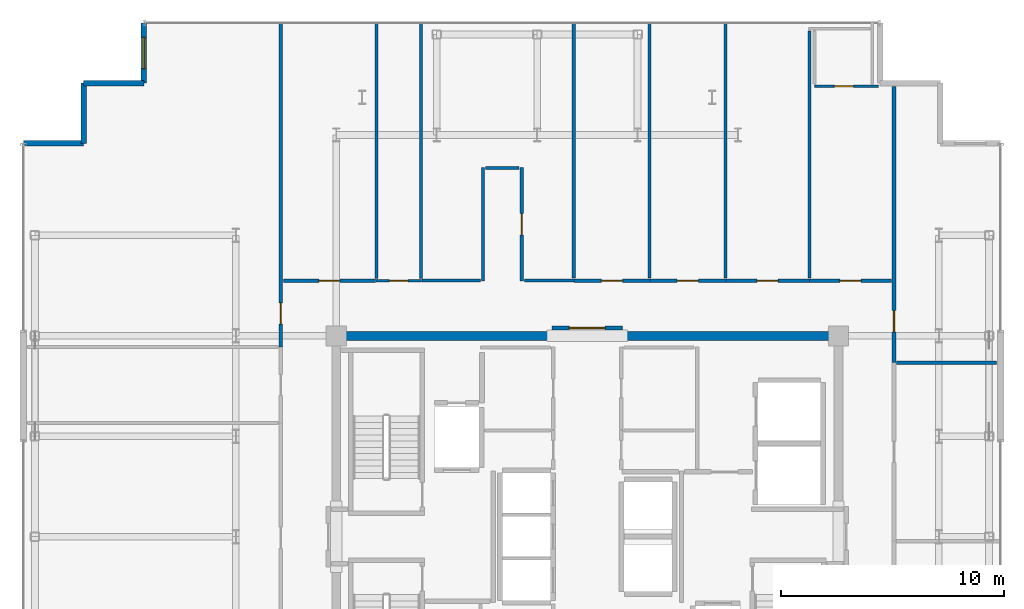
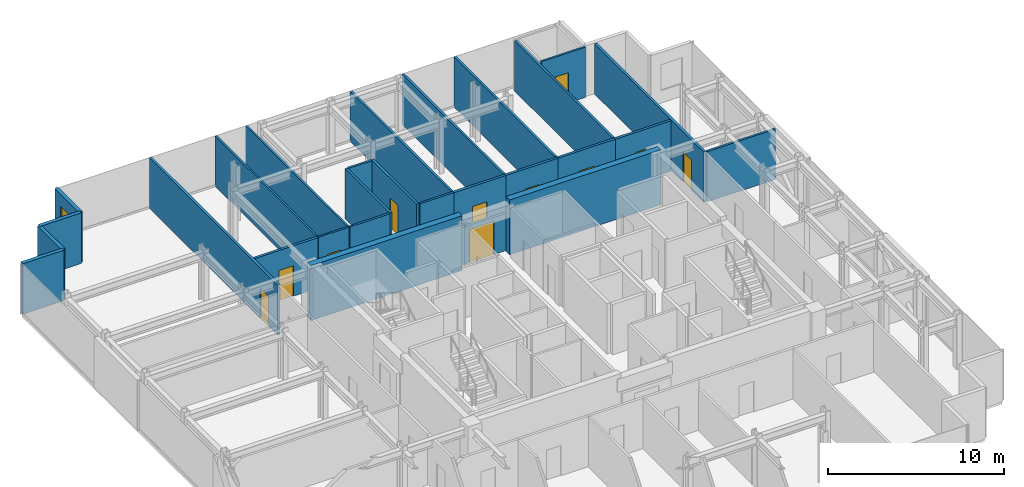
# One storey, part 14 of 16: 28 walls, 11 doors, 1 window, 12 openings.
"""IFC4 building model written with IfcOpenShell, lengths in metres."""

from ifc_helpers import new_model, si_unit, direction, frame, frame_2d, origin, place, context, subcontext, project, spatial, rectangle, extrude, source, transform, mapped, material, layer, layer_set, type_object, element, fill, save


model = new_model("IFC4")

# Units and contexts
model_context = context("Model", 3, precision=1e-05, world=origin(), true_north=direction((0.0, 1.0)))
body_context = subcontext(model_context, "Body", "Model", "MODEL_VIEW")
ifc_project = project(units=[si_unit("LENGTHUNIT", "METRE"), si_unit("AREAUNIT", "SQUARE_METRE"), si_unit("VOLUMEUNIT", "CUBIC_METRE"), si_unit("PLANEANGLEUNIT", "RADIAN"), si_unit("MASSUNIT", "GRAM", prefix="KILO")], contexts=[model_context])

# Site, building, storey
site_placement = place(None, origin())
site = spatial("IfcSite", under=ifc_project, at=site_placement, CompositionType="ELEMENT")
building_placement = place(site_placement, origin())
building = spatial("IfcBuilding", under=site, at=building_placement, Name="Nefas-Gora Pilgrimage Tower", CompositionType="ELEMENT")
storey_placement = place(building_placement, frame((0.0, 0.0, 345.199951171875)))
storey = spatial("IfcBuildingStorey", under=building, at=storey_placement, Name="L87", CompositionType="ELEMENT", Elevation=345.199951171875)

# Walls
ifc_material_1 = material(Name="Concrete C50/60", Category="concrete")
ifc_layer_1 = layer(ifc_material_1, 0.39990234375)
ifc_layer_set_1 = layer_set([ifc_layer_1], Name="Concrete C50/60")
wall_type_1 = type_object("IfcWallType", Name="SW-CORE-400", PredefinedType="SHEAR", material=ifc_layer_set_1)
shared_shape_1 = source(origin(), body_context, "Body", "SweptSolid", [
    extrude(rectangle(XDim=9.89990234375, YDim=0.39990234375, at=frame_2d((4.949951171875, 0.0))), origin(), (0.0, 0.0, 1.0), 3.800048828125),
])
for number, where, z_axis, x_axis, name in (
    (1, (-11.449951171875, 9.0, 0.0), (0.0, 0.0, 1.0), (1.0, 0.0, 0.0), "L87 Core Shear Wall N-West"),
    (2, (1.550048828125, 9.0, 0.0), (0.0, 0.0, 1.0), (1.0, 0.0, 0.0), "L87 Core Shear Wall N-East"),
):
    element("IfcWall", number, at=place(storey_placement, frame(where, z_axis=z_axis, x_axis=x_axis)), inside=storey, type_object=wall_type_1, Name=name, PredefinedType="SHEAR", context=body_context, shape_type="MappedRepresentation", body=[
        mapped(shared_shape_1, transform((0.0, 0.0, 0.0), x_axis=(1.0, 0.0, 0.0), y_axis=(0.0, 1.0, 0.0), z_axis=(0.0, 0.0, 1.0), scale=1.0)),
    ])

# Wall, opening, window
ifc_material_2 = material(Name="Precast concrete C45/55", Category="concrete")
ifc_layer_2 = layer(ifc_material_2, 0.239990234375)
ifc_layer_set_2 = layer_set([ifc_layer_2], Name="Precast concrete C45/55")
wall_type_2 = type_object("IfcWallType", Name="EW-SERR-240", PredefinedType="SHEAR", material=ifc_layer_set_2)
shared_shape_2 = source(origin(), body_context, "Body", "SweptSolid", [
    extrude(rectangle(XDim=2.699951171875, YDim=0.239990234375, at=frame_2d((1.35009765625, 0.0))), origin(), (0.0, 0.0, 1.0), 3.5),
])
wall_1_placement = place(storey_placement, frame((-19.8701171875, 23.02001953125, 0.0), z_axis=(0.0, 0.0, 1.0), x_axis=(0.0, -1.0, 0.0)))
wall_1 = element("IfcWall", 3, at=wall_1_placement, inside=storey, type_object=wall_type_2, Name="L87 Serrated Corner Shear Pier Wall 9", PredefinedType="SHEAR", context=body_context, shape_type="MappedRepresentation", body=[
    mapped(shared_shape_2, transform((0.0, 0.0, 0.0), x_axis=(1.0, 0.0, 0.0), y_axis=(0.0, 1.0, 0.0), z_axis=(0.0, 0.0, 1.0), scale=1.0)),
])
opening_1_placement = place(wall_1_placement, frame((0.64990234375, 0.0, 0.85009765625)))
opening_1 = element("IfcOpeningElement", 4, at=opening_1_placement, cuts=wall_1, Name="Opening W-V2", PredefinedType="OPENING", context=body_context, shape_type="SweptSolid", body=[
    extrude(rectangle(XDim=1.39990234375, YDim=1.800048828125, at=frame_2d((0.699951171875, 0.89990234375))), frame((0.0, 0.1298828125, 0.0), z_axis=(0.0, -1.0, 0.0), x_axis=(1.0, 0.0, 0.0)), (0.0, 0.0, 1.0), 0.260009765625),
])
ifc_material_3 = material(Name="Dark ceramic-fritted operable aluminium-glass window", Category="aluminium")
window_type = type_object("IfcWindowType", Name="WIN-VENT-1400x1800", PartitioningType="SINGLE_PANEL", PredefinedType="WINDOW", material=ifc_material_3)
shared_shape_3 = source(origin(), body_context, "Body", "SweptSolid", [
    extrude(rectangle(XDim=1.39990234375, YDim=1.800048828125, at=frame_2d((0.699951171875, 0.89990234375))), frame((0.0, 0.030029296875, 0.0), z_axis=(0.0, -1.0, 0.0), x_axis=(1.0, 0.0, 0.0)), (0.0, 0.0, 1.0), 0.06005859375),
])
window_placement = place(opening_1_placement, origin())
window = element("IfcWindow", 5, at=window_placement, inside=storey, type_object=window_type, Name="L87 Operable Parallel-Outswing Window 9", OverallHeight=1.800048828125, OverallWidth=1.39990234375, PartitioningType="SINGLE_PANEL", PredefinedType="WINDOW", context=body_context, shape_type="MappedRepresentation", body=[
    mapped(shared_shape_3, transform((0.0, 0.0, 0.0), x_axis=(1.0, 0.0, 0.0), y_axis=(0.0, 1.0, 0.0), z_axis=(0.0, 0.0, 1.0), scale=1.0)),
])
fill(opening_1, window)

# Walls
for number, where, z_axis, x_axis, name in (
    (6, (-19.8701171875, 20.320068359375, 0.0), (0.0, 0.0, 1.0), (-1.0, 0.0, 0.0), "L87 Serrated Corner Shear Pier Wall 10"),
    (7, (-22.570068359375, 20.320068359375, 0.0), (0.0, 0.0, 1.0), (0.0, -1.0, 0.0), "L87 Serrated Corner Shear Pier Wall 11"),
    (8, (-22.570068359375, 17.6201171875, 0.0), (0.0, 0.0, 1.0), (-1.0, 0.0, 0.0), "L87 Serrated Corner Shear Pier Wall 12"),
):
    element("IfcWall", number, at=place(storey_placement, frame(where, z_axis=z_axis, x_axis=x_axis)), inside=storey, type_object=wall_type_2, Name=name, PredefinedType="SHEAR", context=body_context, shape_type="MappedRepresentation", body=[
        mapped(shared_shape_2, transform((0.0, 0.0, 0.0), x_axis=(1.0, 0.0, 0.0), y_axis=(0.0, 1.0, 0.0), z_axis=(0.0, 0.0, 1.0), scale=1.0)),
    ])

# Wall, opening, door
ifc_material_4 = material(Name="Moisture-resistant fire-rated gypsum partition")
ifc_layer_3 = layer(ifc_material_4, 0.1201171875)
ifc_layer_set_3 = layer_set([ifc_layer_3], Name="Moisture-resistant fire-rated gypsum partition")
wall_type_3 = type_object("IfcWallType", Name="IW-WET-120", PredefinedType="PLUMBINGWALL", material=ifc_layer_set_3)
shared_shape_4 = source(origin(), body_context, "Body", "SweptSolid", [
    extrude(rectangle(XDim=2.02001953125, YDim=0.1201171875, at=frame_2d((1.010009765625, 0.0))), origin(), (0.0, 0.0, 1.0), 3.485107421875),
])
wall_2_placement = place(storey_placement, frame((-9.4599609375, 11.469970703125, 0.0), z_axis=(0.0, 0.0, 1.0), x_axis=(1.0, 0.0, 0.0)))
wall_2 = element("IfcWall", 9, at=wall_2_placement, inside=storey, type_object=wall_type_3, Name="L87 Accessible Unisex WC Partition Wall 40", PredefinedType="PLUMBINGWALL", context=body_context, shape_type="MappedRepresentation", body=[
    mapped(shared_shape_4, transform((0.0, 0.0, 0.0), x_axis=(1.0, 0.0, 0.0), y_axis=(0.0, 1.0, 0.0), z_axis=(0.0, 0.0, 1.0), scale=1.0)),
])
opening_2_placement = place(wall_2_placement, frame((0.5849609375, 0.0, 0.0)))
opening_2 = element("IfcOpeningElement", 10, at=opening_2_placement, cuts=wall_2, Name="Opening ID-BT1", PredefinedType="OPENING", context=body_context, shape_type="SweptSolid", body=[
    extrude(rectangle(XDim=0.85009765625, YDim=2.10009765625, at=frame_2d((0.425048828125, 1.050048828125))), frame((0.0, 0.070068359375, 0.0), z_axis=(0.0, -1.0, 0.0), x_axis=(1.0, 0.0, 0.0)), (0.0, 0.0, 1.0), 0.14013671875),
])
ifc_material_5 = material(Name="Moisture-resistant fire-rated timber door", Category="wood")
door_type_1 = type_object("IfcDoorType", Name="DR-INT-BATH-850", OperationType="NOTDEFINED", PredefinedType="DOOR", material=ifc_material_5)
shared_shape_5 = source(origin(), body_context, "Body", "SweptSolid", [
    extrude(rectangle(XDim=0.85009765625, YDim=2.10009765625, at=frame_2d((0.425048828125, 1.050048828125))), frame((0.0, 0.02490234375, 0.0), z_axis=(0.0, -1.0, 0.0), x_axis=(1.0, 0.0, 0.0)), (0.0, 0.0, 1.0), 0.050048828125),
])
door_1_placement = place(opening_2_placement, origin())
door_1 = element("IfcDoor", 11, at=door_1_placement, inside=storey, type_object=door_type_1, Name="L87 Accessible Unisex WC Door 16", OperationType="SINGLE_SWING_LEFT", OverallHeight=2.10009765625, OverallWidth=0.85009765625, PredefinedType="DOOR", context=body_context, shape_type="MappedRepresentation", body=[
    mapped(shared_shape_5, transform((0.0, 0.0, 0.0), x_axis=(1.0, 0.0, 0.0), y_axis=(0.0, 1.0, 0.0), z_axis=(0.0, 0.0, 1.0), scale=1.0)),
])
fill(opening_2, door_1)

ifc_material_6 = material(Name="Gypsum acoustic stud partition")
ifc_layer_4 = layer(ifc_material_6, 0.159912109375)
ifc_layer_set_4 = layer_set([ifc_layer_4], Name="Gypsum acoustic stud partition")
wall_type_4 = type_object("IfcWallType", Name="IW-CORR-160", PredefinedType="PARTITIONING", material=ifc_layer_set_4)
shared_shape_6 = source(origin(), body_context, "Body", "SweptSolid", [
    extrude(rectangle(XDim=4.125, YDim=0.159912109375, at=frame_2d((2.0625, 0.0))), origin(), (0.0, 0.0, 1.0), 3.485107421875),
])
wall_3_placement = place(storey_placement, frame((-13.6201171875, 11.469970703125, 0.0), z_axis=(0.0, 0.0, 1.0), x_axis=(1.0, 0.0, 0.0)))
wall_3 = element("IfcWall", 12, at=wall_3_placement, inside=storey, type_object=wall_type_4, Name="L87 Pilgrim Fellowship Seminar Room Partition Wall 59", PredefinedType="PARTITIONING", context=body_context, shape_type="MappedRepresentation", body=[
    mapped(shared_shape_6, transform((0.0, 0.0, 0.0), x_axis=(1.0, 0.0, 0.0), y_axis=(0.0, 1.0, 0.0), z_axis=(0.0, 0.0, 1.0), scale=1.0)),
])
opening_3_placement = place(wall_3_placement, frame((1.58740234375, 0.0, 0.0)))
opening_3 = element("IfcOpeningElement", 13, at=opening_3_placement, cuts=wall_3, Name="Opening ID-GR1", PredefinedType="OPENING", context=body_context, shape_type="SweptSolid", body=[
    extrude(rectangle(XDim=0.949951171875, YDim=2.10009765625, at=frame_2d((0.47509765625, 1.050048828125))), frame((0.0, 0.08984375, 0.0), z_axis=(0.0, -1.0, 0.0), x_axis=(1.0, 0.0, 0.0)), (0.0, 0.0, 1.0), 0.179931640625),
])
ifc_material_7 = material(Name="Solid core oak fire-rated guest entrance door")
door_type_2 = type_object("IfcDoorType", Name="DR-INT-GUEST-950", OperationType="NOTDEFINED", PredefinedType="DOOR", material=ifc_material_7)
shared_shape_7 = source(origin(), body_context, "Body", "SweptSolid", [
    extrude(rectangle(XDim=0.949951171875, YDim=2.10009765625, at=frame_2d((0.47509765625, 1.050048828125))), frame((0.0, 0.02490234375, 0.0), z_axis=(0.0, -1.0, 0.0), x_axis=(1.0, 0.0, 0.0)), (0.0, 0.0, 1.0), 0.050048828125),
])
door_2_placement = place(opening_3_placement, origin())
door_2 = element("IfcDoor", 14, at=door_2_placement, inside=storey, type_object=door_type_2, Name="L87 Pilgrim Fellowship Seminar Room Door 26", OperationType="SINGLE_SWING_LEFT", OverallHeight=2.10009765625, OverallWidth=0.949951171875, PredefinedType="DOOR", context=body_context, shape_type="MappedRepresentation", body=[
    mapped(shared_shape_7, transform((0.0, 0.0, 0.0), x_axis=(1.0, 0.0, 0.0), y_axis=(0.0, 1.0, 0.0), z_axis=(0.0, 0.0, 1.0), scale=1.0)),
])
fill(opening_3, door_2)

shared_shape_8 = source(origin(), body_context, "Body", "SweptSolid", [
    extrude(rectangle(XDim=14.544921875, YDim=0.159912109375, at=frame_2d((7.2724609375, 0.0))), origin(), (0.0, 0.0, 1.0), 3.485107421875),
])
wall_4_placement = place(storey_placement, frame((-13.739990234375, 8.4951171875, 0.0), z_axis=(0.0, 0.0, 1.0), x_axis=(0.0, 1.0, 0.0)))
wall_4 = element("IfcWall", 15, at=wall_4_placement, inside=storey, type_object=wall_type_4, Name="L87 Pilgrim Devotional Prayer Gallery Partition Wall 51", PredefinedType="PARTITIONING", context=body_context, shape_type="MappedRepresentation", body=[
    mapped(shared_shape_8, transform((0.0, 0.0, 0.0), x_axis=(1.0, 0.0, 0.0), y_axis=(0.0, 1.0, 0.0), z_axis=(0.0, 0.0, 1.0), scale=1.0)),
])
opening_4_placement = place(wall_4_placement, frame((1.032470703125, 0.0, 0.0)))
opening_4 = element("IfcOpeningElement", 16, at=opening_4_placement, cuts=wall_4, Name="Opening ID-GR1", PredefinedType="OPENING", context=body_context, shape_type="SweptSolid", body=[
    extrude(rectangle(XDim=0.949951171875, YDim=2.10009765625, at=frame_2d((0.47509765625, 1.050048828125))), frame((0.0, 0.08984375, 0.0), z_axis=(0.0, -1.0, 0.0), x_axis=(1.0, 0.0, 0.0)), (0.0, 0.0, 1.0), 0.179931640625),
])
door_3_placement = place(opening_4_placement, origin())
door_3 = element("IfcDoor", 17, at=door_3_placement, inside=storey, type_object=door_type_2, Name="L87 Pilgrim Devotional Prayer Gallery Door 21", OperationType="SINGLE_SWING_RIGHT", OverallHeight=2.10009765625, OverallWidth=0.949951171875, PredefinedType="DOOR", context=body_context, shape_type="MappedRepresentation", body=[
    mapped(shared_shape_7, transform((0.0, 0.0, 0.0), x_axis=(1.0, 0.0, 0.0), y_axis=(0.0, 1.0, 0.0), z_axis=(0.0, 0.0, 1.0), scale=1.0)),
])
fill(opening_4, door_3)

shared_shape_9 = source(origin(), body_context, "Body", "SweptSolid", [
    extrude(rectangle(XDim=3.16015625, YDim=0.159912109375, at=frame_2d((1.580078125, 0.0))), origin(), (0.0, 0.0, 1.0), 2.574951171875),
])
wall_5_placement = place(storey_placement, frame((-1.580078125, 9.35009765625, 0.0), z_axis=(0.0, 0.0, 1.0), x_axis=(1.0, 0.0, 0.0)))
wall_5 = element("IfcWall", 18, at=wall_5_placement, inside=storey, type_object=wall_type_4, Name="L87 Central Lift Lobby North Portal Wall 16", PredefinedType="PARTITIONING", context=body_context, shape_type="MappedRepresentation", body=[
    mapped(shared_shape_9, transform((0.0, 0.0, 0.0), x_axis=(1.0, 0.0, 0.0), y_axis=(0.0, 1.0, 0.0), z_axis=(0.0, 0.0, 1.0), scale=1.0)),
])
opening_5_placement = place(wall_5_placement, frame((0.780029296875, 0.0, 0.0)))
opening_5 = element("IfcOpeningElement", 19, at=opening_5_placement, cuts=wall_5, Name="Opening ID-HL1", PredefinedType="OPENING", context=body_context, shape_type="SweptSolid", body=[
    extrude(rectangle(XDim=1.60009765625, YDim=2.300048828125, at=frame_2d((0.800048828125, 1.14990234375))), frame((0.0, 0.08984375, 0.0), z_axis=(0.0, -1.0, 0.0), x_axis=(1.0, 0.0, 0.0)), (0.0, 0.0, 1.0), 0.179931640625),
])
ifc_material_8 = material(Name="Double acoustic timber assembly hall door", Category="wood")
door_type_3 = type_object("IfcDoorType", Name="DR-INT-HALL-1600", OperationType="DOUBLE_DOOR_SINGLE_SWING", PredefinedType="DOOR", material=ifc_material_8)
shared_shape_10 = source(origin(), body_context, "Body", "SweptSolid", [
    extrude(rectangle(XDim=1.60009765625, YDim=2.300048828125, at=frame_2d((0.800048828125, 1.14990234375))), frame((0.0, 0.02490234375, 0.0), z_axis=(0.0, -1.0, 0.0), x_axis=(1.0, 0.0, 0.0)), (0.0, 0.0, 1.0), 0.050048828125),
])
door_4_placement = place(opening_5_placement, origin())
door_4 = element("IfcDoor", 20, at=door_4_placement, inside=storey, type_object=door_type_3, Name="L87 Central Lift Lobby North Portal Door 6", OperationType="DOUBLE_DOOR_SINGLE_SWING", OverallHeight=2.300048828125, OverallWidth=1.60009765625, PredefinedType="DOOR", context=body_context, shape_type="MappedRepresentation", body=[
    mapped(shared_shape_10, transform((0.0, 0.0, 0.0), x_axis=(1.0, 0.0, 0.0), y_axis=(0.0, 1.0, 0.0), z_axis=(0.0, 0.0, 1.0), scale=1.0)),
])
fill(opening_5, door_4)

# Walls
ifc_material_9 = material(Name="Gypsum twin-stud partition")
ifc_layer_5 = layer(ifc_material_9, 0.139892578125)
ifc_layer_set_5 = layer_set([ifc_layer_5], Name="Gypsum twin-stud partition")
wall_type_5 = type_object("IfcWallType", Name="IW-UNIT-140", PredefinedType="PARTITIONING", material=ifc_layer_set_5)
shared_shape_11 = source(origin(), body_context, "Body", "SweptSolid", [
    extrude(rectangle(XDim=11.449951171875, YDim=0.139892578125, at=frame_2d((5.72509765625, 0.0))), origin(), (0.0, 0.0, 1.0), 3.485107421875),
])
for number, where, z_axis, x_axis, name in (
    (21, (2.79248046875, 11.590087890625, 0.0), (0.0, 0.0, 1.0), (0.0, 1.0, 0.0), "L87 Pilgrim Contemplative Lounge Partition Wall 67"),
    (22, (6.195068359375, 11.590087890625, 0.0), (0.0, 0.0, 1.0), (0.0, 1.0, 0.0), "L87 Pilgrim Contemplative Lounge Partition Wall 69"),
):
    element("IfcWall", number, at=place(storey_placement, frame(where, z_axis=z_axis, x_axis=x_axis)), inside=storey, type_object=wall_type_5, Name=name, PredefinedType="PARTITIONING", context=body_context, shape_type="MappedRepresentation", body=[
        mapped(shared_shape_11, transform((0.0, 0.0, 0.0), x_axis=(1.0, 0.0, 0.0), y_axis=(0.0, 1.0, 0.0), z_axis=(0.0, 0.0, 1.0), scale=1.0)),
    ])
shared_shape_12 = source(origin(), body_context, "Body", "SweptSolid", [
    extrude(rectangle(XDim=11.06982421875, YDim=0.139892578125, at=frame_2d((5.534912109375, 0.0))), origin(), (0.0, 0.0, 1.0), 3.485107421875),
])
wall_6_placement = place(storey_placement, frame((9.949951171875, 11.590087890625, 0.0), z_axis=(0.0, 0.0, 1.0), x_axis=(0.0, 1.0, 0.0)))
element("IfcWall", 23, at=wall_6_placement, inside=storey, type_object=wall_type_5, Name="L87 Pilgrim Contemplative Lounge Partition Wall 71", PredefinedType="PARTITIONING", context=body_context, shape_type="MappedRepresentation", body=[
    mapped(shared_shape_12, transform((0.0, 0.0, 0.0), x_axis=(1.0, 0.0, 0.0), y_axis=(0.0, 1.0, 0.0), z_axis=(0.0, 0.0, 1.0), scale=1.0)),
])

# Wall, opening, door
shared_shape_13 = source(origin(), body_context, "Body", "SweptSolid", [
    extrude(rectangle(XDim=2.860107421875, YDim=0.1201171875, at=frame_2d((1.43017578125, 0.0))), origin(), (0.0, 0.0, 1.0), 3.485107421875),
])
wall_7_placement = place(storey_placement, frame((10.179931640625, 20.179931640625, 0.0), z_axis=(0.0, 0.0, 1.0), x_axis=(1.0, 0.0, 0.0)))
wall_7 = element("IfcWall", 24, at=wall_7_placement, inside=storey, type_object=wall_type_3, Name="L87 En-Suite Bathroom Wall 19", PredefinedType="PLUMBINGWALL", context=body_context, shape_type="MappedRepresentation", body=[
    mapped(shared_shape_13, transform((0.0, 0.0, 0.0), x_axis=(1.0, 0.0, 0.0), y_axis=(0.0, 1.0, 0.0), z_axis=(0.0, 0.0, 1.0), scale=1.0)),
])
opening_6_placement = place(wall_7_placement, frame((0.89501953125, 0.0, 0.0)))
opening_6 = element("IfcOpeningElement", 25, at=opening_6_placement, cuts=wall_7, Name="Opening ID-BT1", PredefinedType="OPENING", context=body_context, shape_type="SweptSolid", body=[
    extrude(rectangle(XDim=0.85009765625, YDim=2.10009765625, at=frame_2d((0.425048828125, 1.050048828125))), frame((0.0, 0.070068359375, 0.0), z_axis=(0.0, -1.0, 0.0), x_axis=(1.0, 0.0, 0.0)), (0.0, 0.0, 1.0), 0.14013671875),
])
door_5_placement = place(opening_6_placement, origin())
door_5 = element("IfcDoor", 26, at=door_5_placement, inside=storey, type_object=door_type_1, Name="L87 En-Suite Bathroom Door 8", OperationType="SINGLE_SWING_LEFT", OverallHeight=2.10009765625, OverallWidth=0.85009765625, PredefinedType="DOOR", context=body_context, shape_type="MappedRepresentation", body=[
    mapped(shared_shape_5, transform((0.0, 0.0, 0.0), x_axis=(1.0, 0.0, 0.0), y_axis=(0.0, 1.0, 0.0), z_axis=(0.0, 0.0, 1.0), scale=1.0)),
])
fill(opening_6, door_5)

# Walls
shared_shape_14 = source(origin(), body_context, "Body", "SweptSolid", [
    extrude(rectangle(XDim=11.469970703125, YDim=0.1201171875, at=frame_2d((5.73486328125, 0.0))), origin(), (0.0, 0.0, 1.0), 3.485107421875),
])
for number, where, z_axis, x_axis, name in (
    (27, (-9.449951171875, 11.570068359375, 0.0), (0.0, 0.0, 1.0), (0.0, 1.0, 0.0), "L87 Accessible Unisex WC Partition Wall 41"),
    (28, (-7.449951171875, 11.570068359375, 0.0), (0.0, 0.0, 1.0), (0.0, 1.0, 0.0), "L87 Accessible Unisex WC Partition Wall 42"),
):
    element("IfcWall", number, at=place(storey_placement, frame(where, z_axis=z_axis, x_axis=x_axis)), inside=storey, type_object=wall_type_3, Name=name, PredefinedType="PLUMBINGWALL", context=body_context, shape_type="MappedRepresentation", body=[
        mapped(shared_shape_14, transform((0.0, 0.0, 0.0), x_axis=(1.0, 0.0, 0.0), y_axis=(0.0, 1.0, 0.0), z_axis=(0.0, 0.0, 1.0), scale=1.0)),
    ])

# Wall, opening, door
shared_shape_15 = source(origin(), body_context, "Body", "SweptSolid", [
    extrude(rectangle(XDim=12.364990234375, YDim=0.159912109375, at=frame_2d((6.1826171875, 0.0))), origin(), (0.0, 0.0, 1.0), 3.485107421875),
])
wall_8_placement = place(storey_placement, frame((13.739990234375, 7.794921875, 0.0), z_axis=(0.0, 0.0, 1.0), x_axis=(0.0, 1.0, 0.0)))
wall_8 = element("IfcWall", 29, at=wall_8_placement, inside=storey, type_object=wall_type_4, Name="L87 Pilgrim Fellowship Seminar Room Partition Wall 58", PredefinedType="PARTITIONING", context=body_context, shape_type="MappedRepresentation", body=[
    mapped(shared_shape_15, transform((0.0, 0.0, 0.0), x_axis=(1.0, 0.0, 0.0), y_axis=(0.0, 1.0, 0.0), z_axis=(0.0, 0.0, 1.0), scale=1.0)),
])
opening_7_placement = place(wall_8_placement, frame((1.382568359375, 0.0, 0.0)))
opening_7 = element("IfcOpeningElement", 30, at=opening_7_placement, cuts=wall_8, Name="Opening ID-GR1", PredefinedType="OPENING", context=body_context, shape_type="SweptSolid", body=[
    extrude(rectangle(XDim=0.949951171875, YDim=2.10009765625, at=frame_2d((0.47509765625, 1.050048828125))), frame((0.0, 0.08984375, 0.0), z_axis=(0.0, -1.0, 0.0), x_axis=(1.0, 0.0, 0.0)), (0.0, 0.0, 1.0), 0.179931640625),
])
door_6_placement = place(opening_7_placement, origin())
door_6 = element("IfcDoor", 31, at=door_6_placement, inside=storey, type_object=door_type_2, Name="L87 Pilgrim Fellowship Seminar Room Door 25", OperationType="SINGLE_SWING_RIGHT", OverallHeight=2.10009765625, OverallWidth=0.949951171875, PredefinedType="DOOR", context=body_context, shape_type="MappedRepresentation", body=[
    mapped(shared_shape_7, transform((0.0, 0.0, 0.0), x_axis=(1.0, 0.0, 0.0), y_axis=(0.0, 1.0, 0.0), z_axis=(0.0, 0.0, 1.0), scale=1.0)),
])
fill(opening_7, door_6)

# Wall
shared_shape_16 = source(origin(), body_context, "Body", "SweptSolid", [
    extrude(rectangle(XDim=4.469970703125, YDim=0.139892578125, at=frame_2d((2.23486328125, 0.0))), origin(), (0.0, 0.0, 1.0), 3.485107421875),
])
wall_9_placement = place(storey_placement, frame((13.860107421875, 7.794921875, 0.0), z_axis=(0.0, 0.0, 1.0), x_axis=(1.0, 0.0, 0.0)))
element("IfcWall", 32, at=wall_9_placement, inside=storey, type_object=wall_type_5, Name="L87 Pilgrim Fellowship Seminar Room Partition Wall 57", PredefinedType="PARTITIONING", context=body_context, shape_type="MappedRepresentation", body=[
    mapped(shared_shape_16, transform((0.0, 0.0, 0.0), x_axis=(1.0, 0.0, 0.0), y_axis=(0.0, 1.0, 0.0), z_axis=(0.0, 0.0, 1.0), scale=1.0)),
])

# Wall, opening, door
shared_shape_17 = source(origin(), body_context, "Body", "SweptSolid", [
    extrude(rectangle(XDim=5.080078125, YDim=0.159912109375, at=frame_2d((2.5400390625, 0.0))), origin(), (0.0, 0.0, 1.0), 3.485107421875),
])
wall_10_placement = place(storey_placement, frame((-2.929931640625, 11.4599609375, 0.0), z_axis=(0.0, 0.0, 1.0), x_axis=(0.0, 1.0, 0.0)))
wall_10 = element("IfcWall", 33, at=wall_10_placement, inside=storey, type_object=wall_type_4, Name="L87 Pilgrim Contemplative Lounge Partition Wall 60", PredefinedType="PARTITIONING", context=body_context, shape_type="MappedRepresentation", body=[
    mapped(shared_shape_17, transform((0.0, 0.0, 0.0), x_axis=(1.0, 0.0, 0.0), y_axis=(0.0, 1.0, 0.0), z_axis=(0.0, 0.0, 1.0), scale=1.0)),
])
opening_8_placement = place(wall_10_placement, frame((2.06494140625, 0.0, 0.0)))
opening_8 = element("IfcOpeningElement", 34, at=opening_8_placement, cuts=wall_10, Name="Opening ID-GR1", PredefinedType="OPENING", context=body_context, shape_type="SweptSolid", body=[
    extrude(rectangle(XDim=0.949951171875, YDim=2.10009765625, at=frame_2d((0.47509765625, 1.050048828125))), frame((0.0, 0.08984375, 0.0), z_axis=(0.0, -1.0, 0.0), x_axis=(1.0, 0.0, 0.0)), (0.0, 0.0, 1.0), 0.179931640625),
])
door_7_placement = place(opening_8_placement, origin())
door_7 = element("IfcDoor", 35, at=door_7_placement, inside=storey, type_object=door_type_2, Name="L87 Pilgrim Contemplative Lounge Door 27", OperationType="SINGLE_SWING_RIGHT", OverallHeight=2.10009765625, OverallWidth=0.949951171875, PredefinedType="DOOR", context=body_context, shape_type="MappedRepresentation", body=[
    mapped(shared_shape_7, transform((0.0, 0.0, 0.0), x_axis=(1.0, 0.0, 0.0), y_axis=(0.0, 1.0, 0.0), z_axis=(0.0, 0.0, 1.0), scale=1.0)),
])
fill(opening_8, door_7)

# Walls
shared_shape_18 = source(origin(), body_context, "Body", "SweptSolid", [
    extrude(rectangle(XDim=5.080078125, YDim=0.139892578125, at=frame_2d((2.5400390625, 0.0))), origin(), (0.0, 0.0, 1.0), 3.485107421875),
])
wall_11_placement = place(storey_placement, frame((-4.669921875, 11.4599609375, 0.0), z_axis=(0.0, 0.0, 1.0), x_axis=(0.0, 1.0, 0.0)))
element("IfcWall", 36, at=wall_11_placement, inside=storey, type_object=wall_type_5, Name="L87 Pilgrim Contemplative Lounge Partition Wall 61", PredefinedType="PARTITIONING", context=body_context, shape_type="MappedRepresentation", body=[
    mapped(shared_shape_18, transform((0.0, 0.0, 0.0), x_axis=(1.0, 0.0, 0.0), y_axis=(0.0, 1.0, 0.0), z_axis=(0.0, 0.0, 1.0), scale=1.0)),
])
shared_shape_19 = source(origin(), body_context, "Body", "SweptSolid", [
    extrude(rectangle(XDim=2.625, YDim=0.139892578125, at=frame_2d((1.3125, 0.0))), origin(), (0.0, 0.0, 1.0), 3.485107421875),
])
wall_12_placement = place(storey_placement, frame((-7.405029296875, 11.469970703125, 0.0), z_axis=(0.0, 0.0, 1.0), x_axis=(1.0, 0.0, 0.0)))
element("IfcWall", 37, at=wall_12_placement, inside=storey, type_object=wall_type_5, Name="L87 Pilgrim Contemplative Lounge Partition Wall 62", PredefinedType="PARTITIONING", context=body_context, shape_type="MappedRepresentation", body=[
    mapped(shared_shape_19, transform((0.0, 0.0, 0.0), x_axis=(1.0, 0.0, 0.0), y_axis=(0.0, 1.0, 0.0), z_axis=(0.0, 0.0, 1.0), scale=1.0)),
])
shared_shape_20 = source(origin(), body_context, "Body", "SweptSolid", [
    extrude(rectangle(XDim=2.2099609375, YDim=0.139892578125, at=frame_2d((1.10498046875, 0.0))), origin(), (0.0, 0.0, 1.0), 3.485107421875),
])
wall_13_placement = place(storey_placement, frame((-2.81005859375, 11.469970703125, 0.0), z_axis=(0.0, 0.0, 1.0), x_axis=(1.0, 0.0, 0.0)))
element("IfcWall", 38, at=wall_13_placement, inside=storey, type_object=wall_type_5, Name="L87 Pilgrim Contemplative Lounge Partition Wall 63", PredefinedType="PARTITIONING", context=body_context, shape_type="MappedRepresentation", body=[
    mapped(shared_shape_20, transform((0.0, 0.0, 0.0), x_axis=(1.0, 0.0, 0.0), y_axis=(0.0, 1.0, 0.0), z_axis=(0.0, 0.0, 1.0), scale=1.0)),
])
shared_shape_21 = source(origin(), body_context, "Body", "SweptSolid", [
    extrude(rectangle(XDim=1.510009765625, YDim=0.139892578125, at=frame_2d((0.7548828125, 0.0))), origin(), (0.0, 0.0, 1.0), 3.485107421875),
])
wall_14_placement = place(storey_placement, frame((-4.56005859375, 16.52001953125, 0.0), z_axis=(0.0, 0.0, 1.0), x_axis=(1.0, 0.0, 0.0)))
element("IfcWall", 39, at=wall_14_placement, inside=storey, type_object=wall_type_5, Name="L87 Pilgrim Contemplative Lounge Partition Wall 64", PredefinedType="PARTITIONING", context=body_context, shape_type="MappedRepresentation", body=[
    mapped(shared_shape_21, transform((0.0, 0.0, 0.0), x_axis=(1.0, 0.0, 0.0), y_axis=(0.0, 1.0, 0.0), z_axis=(0.0, 0.0, 1.0), scale=1.0)),
])
shared_shape_22 = source(origin(), body_context, "Body", "SweptSolid", [
    extrude(rectangle(XDim=11.4599609375, YDim=0.139892578125, at=frame_2d((5.72998046875, 0.0))), origin(), (0.0, 0.0, 1.0), 3.485107421875),
])
wall_15_placement = place(storey_placement, frame((-0.610107421875, 11.580078125, 0.0), z_axis=(0.0, 0.0, 1.0), x_axis=(0.0, 1.0, 0.0)))
element("IfcWall", 40, at=wall_15_placement, inside=storey, type_object=wall_type_5, Name="L87 Pilgrim Contemplative Lounge Partition Wall 65", PredefinedType="PARTITIONING", context=body_context, shape_type="MappedRepresentation", body=[
    mapped(shared_shape_22, transform((0.0, 0.0, 0.0), x_axis=(1.0, 0.0, 0.0), y_axis=(0.0, 1.0, 0.0), z_axis=(0.0, 0.0, 1.0), scale=1.0)),
])

# Wall, opening, door
shared_shape_23 = source(origin(), body_context, "Body", "SweptSolid", [
    extrude(rectangle(XDim=3.402587890625, YDim=0.159912109375, at=frame_2d((1.701171875, 0.0))), origin(), (0.0, 0.0, 1.0), 3.485107421875),
])
wall_16_placement = place(storey_placement, frame((-0.60009765625, 11.469970703125, 0.0), z_axis=(0.0, 0.0, 1.0), x_axis=(1.0, 0.0, 0.0)))
wall_16 = element("IfcWall", 41, at=wall_16_placement, inside=storey, type_object=wall_type_4, Name="L87 Pilgrim Contemplative Lounge Partition Wall 66", PredefinedType="PARTITIONING", context=body_context, shape_type="MappedRepresentation", body=[
    mapped(shared_shape_23, transform((0.0, 0.0, 0.0), x_axis=(1.0, 0.0, 0.0), y_axis=(0.0, 1.0, 0.0), z_axis=(0.0, 0.0, 1.0), scale=1.0)),
])
opening_9_placement = place(wall_16_placement, frame((1.226318359375, 0.0, 0.0)))
opening_9 = element("IfcOpeningElement", 42, at=opening_9_placement, cuts=wall_16, Name="Opening ID-GR1", PredefinedType="OPENING", context=body_context, shape_type="SweptSolid", body=[
    extrude(rectangle(XDim=0.949951171875, YDim=2.10009765625, at=frame_2d((0.47509765625, 1.050048828125))), frame((0.0, 0.08984375, 0.0), z_axis=(0.0, -1.0, 0.0), x_axis=(1.0, 0.0, 0.0)), (0.0, 0.0, 1.0), 0.179931640625),
])
door_8_placement = place(opening_9_placement, origin())
door_8 = element("IfcDoor", 43, at=door_8_placement, inside=storey, type_object=door_type_2, Name="L87 Pilgrim Contemplative Lounge Door 28", OperationType="SINGLE_SWING_LEFT", OverallHeight=2.10009765625, OverallWidth=0.949951171875, PredefinedType="DOOR", context=body_context, shape_type="MappedRepresentation", body=[
    mapped(shared_shape_7, transform((0.0, 0.0, 0.0), x_axis=(1.0, 0.0, 0.0), y_axis=(0.0, 1.0, 0.0), z_axis=(0.0, 0.0, 1.0), scale=1.0)),
])
fill(opening_9, door_8)

wall_17_placement = place(storey_placement, frame((2.802490234375, 11.469970703125, 0.0), z_axis=(0.0, 0.0, 1.0), x_axis=(1.0, 0.0, 0.0)))
wall_17 = element("IfcWall", 44, at=wall_17_placement, inside=storey, type_object=wall_type_4, Name="L87 Pilgrim Contemplative Lounge Partition Wall 68", PredefinedType="PARTITIONING", context=body_context, shape_type="MappedRepresentation", body=[
    mapped(shared_shape_23, transform((0.0, 0.0, 0.0), x_axis=(1.0, 0.0, 0.0), y_axis=(0.0, 1.0, 0.0), z_axis=(0.0, 0.0, 1.0), scale=1.0)),
])
opening_10_placement = place(wall_17_placement, frame((1.226318359375, 0.0, 0.0)))
opening_10 = element("IfcOpeningElement", 45, at=opening_10_placement, cuts=wall_17, Name="Opening ID-GR1", PredefinedType="OPENING", context=body_context, shape_type="SweptSolid", body=[
    extrude(rectangle(XDim=0.949951171875, YDim=2.10009765625, at=frame_2d((0.47509765625, 1.050048828125))), frame((0.0, 0.08984375, 0.0), z_axis=(0.0, -1.0, 0.0), x_axis=(1.0, 0.0, 0.0)), (0.0, 0.0, 1.0), 0.179931640625),
])
door_9_placement = place(opening_10_placement, origin())
door_9 = element("IfcDoor", 46, at=door_9_placement, inside=storey, type_object=door_type_2, Name="L87 Pilgrim Contemplative Lounge Door 29", OperationType="SINGLE_SWING_RIGHT", OverallHeight=2.10009765625, OverallWidth=0.949951171875, PredefinedType="DOOR", context=body_context, shape_type="MappedRepresentation", body=[
    mapped(shared_shape_7, transform((0.0, 0.0, 0.0), x_axis=(1.0, 0.0, 0.0), y_axis=(0.0, 1.0, 0.0), z_axis=(0.0, 0.0, 1.0), scale=1.0)),
])
fill(opening_10, door_9)

shared_shape_24 = source(origin(), body_context, "Body", "SweptSolid", [
    extrude(rectangle(XDim=3.764892578125, YDim=0.159912109375, at=frame_2d((1.88232421875, 0.0))), origin(), (0.0, 0.0, 1.0), 3.485107421875),
])
wall_18_placement = place(storey_placement, frame((6.195068359375, 11.469970703125, 0.0), z_axis=(0.0, 0.0, 1.0), x_axis=(1.0, 0.0, 0.0)))
wall_18 = element("IfcWall", 47, at=wall_18_placement, inside=storey, type_object=wall_type_4, Name="L87 Pilgrim Contemplative Lounge Partition Wall 70", PredefinedType="PARTITIONING", context=body_context, shape_type="MappedRepresentation", body=[
    mapped(shared_shape_24, transform((0.0, 0.0, 0.0), x_axis=(1.0, 0.0, 0.0), y_axis=(0.0, 1.0, 0.0), z_axis=(0.0, 0.0, 1.0), scale=1.0)),
])
opening_11_placement = place(wall_18_placement, frame((1.407470703125, 0.0, 0.0)))
opening_11 = element("IfcOpeningElement", 48, at=opening_11_placement, cuts=wall_18, Name="Opening ID-GR1", PredefinedType="OPENING", context=body_context, shape_type="SweptSolid", body=[
    extrude(rectangle(XDim=0.949951171875, YDim=2.10009765625, at=frame_2d((0.47509765625, 1.050048828125))), frame((0.0, 0.08984375, 0.0), z_axis=(0.0, -1.0, 0.0), x_axis=(1.0, 0.0, 0.0)), (0.0, 0.0, 1.0), 0.179931640625),
])
door_10_placement = place(opening_11_placement, origin())
door_10 = element("IfcDoor", 49, at=door_10_placement, inside=storey, type_object=door_type_2, Name="L87 Pilgrim Contemplative Lounge Door 30", OperationType="SINGLE_SWING_LEFT", OverallHeight=2.10009765625, OverallWidth=0.949951171875, PredefinedType="DOOR", context=body_context, shape_type="MappedRepresentation", body=[
    mapped(shared_shape_7, transform((0.0, 0.0, 0.0), x_axis=(1.0, 0.0, 0.0), y_axis=(0.0, 1.0, 0.0), z_axis=(0.0, 0.0, 1.0), scale=1.0)),
])
fill(opening_11, door_10)

shared_shape_25 = source(origin(), body_context, "Body", "SweptSolid", [
    extrude(rectangle(XDim=3.66015625, YDim=0.159912109375, at=frame_2d((1.830078125, 0.0))), origin(), (0.0, 0.0, 1.0), 3.485107421875),
])
wall_19_placement = place(storey_placement, frame((9.9599609375, 11.469970703125, 0.0), z_axis=(0.0, 0.0, 1.0), x_axis=(1.0, 0.0, 0.0)))
wall_19 = element("IfcWall", 50, at=wall_19_placement, inside=storey, type_object=wall_type_4, Name="L87 Pilgrim Sanctuary Suite Partition Wall 72", PredefinedType="PARTITIONING", context=body_context, shape_type="MappedRepresentation", body=[
    mapped(shared_shape_25, transform((0.0, 0.0, 0.0), x_axis=(1.0, 0.0, 0.0), y_axis=(0.0, 1.0, 0.0), z_axis=(0.0, 0.0, 1.0), scale=1.0)),
])
opening_12_placement = place(wall_19_placement, frame((1.35498046875, 0.0, 0.0)))
opening_12 = element("IfcOpeningElement", 51, at=opening_12_placement, cuts=wall_19, Name="Opening ID-GR1", PredefinedType="OPENING", context=body_context, shape_type="SweptSolid", body=[
    extrude(rectangle(XDim=0.949951171875, YDim=2.10009765625, at=frame_2d((0.47509765625, 1.050048828125))), frame((0.0, 0.08984375, 0.0), z_axis=(0.0, -1.0, 0.0), x_axis=(1.0, 0.0, 0.0)), (0.0, 0.0, 1.0), 0.179931640625),
])
door_11_placement = place(opening_12_placement, origin())
door_11 = element("IfcDoor", 52, at=door_11_placement, inside=storey, type_object=door_type_2, Name="L87 Pilgrim Sanctuary Suite Door 31", OperationType="SINGLE_SWING_RIGHT", OverallHeight=2.10009765625, OverallWidth=0.949951171875, PredefinedType="DOOR", context=body_context, shape_type="MappedRepresentation", body=[
    mapped(shared_shape_7, transform((0.0, 0.0, 0.0), x_axis=(1.0, 0.0, 0.0), y_axis=(0.0, 1.0, 0.0), z_axis=(0.0, 0.0, 1.0), scale=1.0)),
])
fill(opening_12, door_11)

save(model, "model.ifc")
